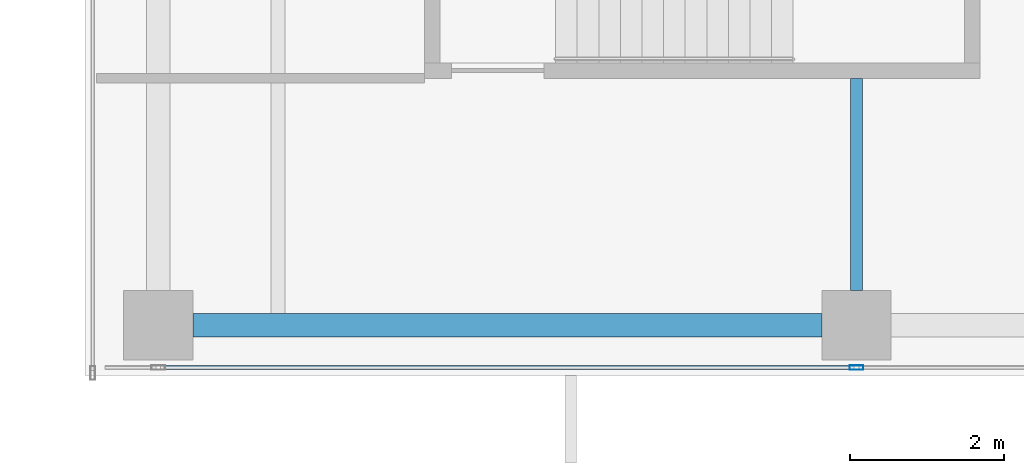
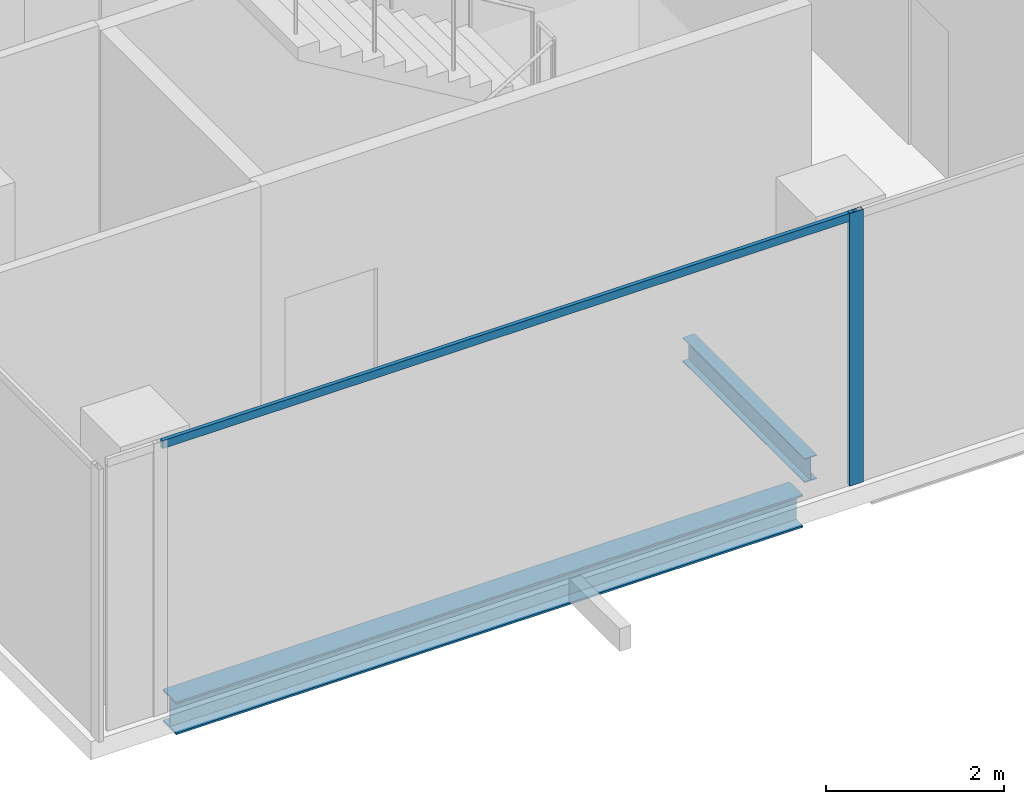
# One storey, part 3 of 36: 2 beams, 2 members, 1 element without a shape of its own.
"""IFC4 building model written with IfcOpenShell, lengths in metres."""

from ifc_helpers import new_model, si_unit, direction, frame, origin, origin_2d, place, context, subcontext, project, spatial, hollow_rectangle, i_section, extrude, source, transform, mapped, material, material_profile, profile_set, type_object, element, aggregate, save


model = new_model("IFC4")

# Units and contexts
model_context = context("Model", 3, precision=1e-05, world=origin(), true_north=direction((0.0, 1.0)))
body_context = subcontext(model_context, "Body", "Model", "MODEL_VIEW")
ifc_project = project(units=[si_unit("LENGTHUNIT", "METRE"), si_unit("AREAUNIT", "SQUARE_METRE"), si_unit("VOLUMEUNIT", "CUBIC_METRE"), si_unit("PLANEANGLEUNIT", "RADIAN"), si_unit("MASSUNIT", "GRAM", prefix="KILO")], contexts=[model_context])

# Site, building, storey
site_placement = place(None, origin())
site = spatial("IfcSite", under=ifc_project, at=site_placement, CompositionType="ELEMENT")
building_placement = place(site_placement, origin())
building = spatial("IfcBuilding", under=site, at=building_placement, Name="Khomas Fold Tower", CompositionType="ELEMENT")
storey_placement = place(building_placement, frame((0.0, 0.0, 226.199951171875)))
storey = spatial("IfcBuildingStorey", under=building, at=storey_placement, Name="L50", CompositionType="ELEMENT", Elevation=226.199951171875)

# Beams
ifc_material_1 = material(Name="Steel S355", Category="steel")
ifc_material_profile_1 = material_profile(ifc_material_1, i_section(OverallWidth=0.159912109375, OverallDepth=0.330078125, WebThickness=0.007568359375, FlangeThickness=0.011474609375, at=origin_2d()), Name="IPE 330")
ifc_profile_set_1 = profile_set([ifc_material_profile_1], Name="Steel S355")
beam_type_1 = type_object("IfcBeamType", Name="IPE 330 beam JB1", PredefinedType="BEAM", material=ifc_profile_set_1)
shared_shape_1 = source(origin(), body_context, "Body", "SweptSolid", [
    extrude(i_section(OverallWidth=0.159912109375, OverallDepth=0.330078125, WebThickness=0.007568359375, FlangeThickness=0.011474609375, at=origin_2d()), origin(), (0.0, 0.0, 1.0), 2.75),
])
beam_1_placement = place(storey_placement, frame((19.5, 5.60009765625, -0.4150390625), z_axis=(0.0, 1.0, 0.0), x_axis=(-1.0, 0.0, 0.0)))
element("IfcBeam", 1, at=beam_1_placement, inside=storey, type_object=beam_type_1, Name="JB1", PredefinedType="BEAM", context=body_context, shape_type="MappedRepresentation", body=[
    mapped(shared_shape_1, transform((0.0, 0.0, 0.0))),
])
ifc_material_2 = material(Name="Steel S355", Category="steel")
ifc_material_profile_2 = material_profile(ifc_material_2, i_section(OverallWidth=0.300048828125, OverallDepth=0.449951171875, WebThickness=0.013916015625, FlangeThickness=0.02587890625, at=origin_2d()), Name="HE 450 B")
ifc_profile_set_2 = profile_set([ifc_material_profile_2], Name="Steel S355")
beam_type_2 = type_object("IfcBeamType", Name="HE 450 B spandrel SB4", PredefinedType="SPANDREL", material=ifc_profile_set_2)
shared_shape_2 = source(origin(), body_context, "Body", "SweptSolid", [
    extrude(i_section(OverallWidth=0.300048828125, OverallDepth=0.449951171875, WebThickness=0.013916015625, FlangeThickness=0.02587890625, at=origin_2d()), origin(), (0.0, 0.0, 1.0), 8.150146484375),
])
beam_2_placement = place(storey_placement, frame((10.89990234375, 5.14990234375, -0.474853515625), z_axis=(1.0, 0.0, 0.0), x_axis=(0.0, 1.0, 0.0)))
element("IfcBeam", 2, at=beam_2_placement, inside=storey, type_object=beam_type_2, Name="SB4", PredefinedType="SPANDREL", context=body_context, shape_type="MappedRepresentation", body=[
    mapped(shared_shape_2, transform((0.0, 0.0, 0.0))),
])

# Curtain wall, members
ifc_material_3 = material(Name="Aluminium framed double glazing", Category="aluminium")
curtain_wall_type = type_object("IfcCurtainWallType", Name="SK-Unitised clear-glass wall, office floors CW2", PredefinedType="NOTDEFINED", material=ifc_material_3)
curtain_wall_placement = place(storey_placement, origin())
curtain_wall = element("IfcCurtainWall", 3, at=curtain_wall_placement, inside=storey, type_object=curtain_wall_type, Name="CW2 run L50 00-0", PredefinedType="NOTDEFINED")
ifc_material_4 = material(Name="Aluminium", Category="aluminium")
ifc_material_profile_3 = material_profile(ifc_material_4, hollow_rectangle(XDim=0.06005859375, YDim=0.179931640625, WallThickness=0.00390625, at=origin_2d()), Name="SK-Unitised clear-glass wall, office floors mullion CW2-M")
ifc_profile_set_3 = profile_set([ifc_material_profile_3], Name="Aluminium")
member_type_1 = type_object("IfcMemberType", Name="SK-Unitised clear-glass wall, office floors mullion CW2-M", PredefinedType="MULLION", material=ifc_profile_set_3)
shared_shape_3 = source(origin(), body_context, "Body", "SweptSolid", [
    extrude(hollow_rectangle(XDim=0.06005859375, YDim=0.179931640625, WallThickness=0.00390625, at=origin_2d()), origin(), (0.0, 0.0, 1.0), 3.75),
])
member_1_placement = place(storey_placement, frame((19.5, 4.60009765625, 0.0), z_axis=(0.0, 0.0, 1.0), x_axis=(0.0, 1.0, 0.0)))
member_1 = element("IfcMember", 4, at=member_1_placement, type_object=member_type_1, Name="CW2 mullion 3", PredefinedType="MULLION", context=body_context, shape_type="MappedRepresentation", body=[
    mapped(shared_shape_3, transform((0.0, 0.0, 0.0))),
])
ifc_material_5 = material(Name="Aluminium", Category="aluminium")
ifc_material_profile_4 = material_profile(ifc_material_5, hollow_rectangle(XDim=0.050048828125, YDim=0.110107421875, WallThickness=0.00390625, at=origin_2d()), Name="SK-Unitised clear-glass wall, office floors transom CW2-T")
ifc_profile_set_4 = profile_set([ifc_material_profile_4], Name="Aluminium")
member_type_2 = type_object("IfcMemberType", Name="SK-Unitised clear-glass wall, office floors transom CW2-T", PredefinedType="USERDEFINED", material=ifc_profile_set_4)
shared_shape_4 = source(origin(), body_context, "Body", "SweptSolid", [
    extrude(hollow_rectangle(XDim=0.050048828125, YDim=0.110107421875, WallThickness=0.00390625, at=origin_2d()), origin(), (0.0, 0.0, 1.0), 8.989990234375),
])
member_2_placement = place(storey_placement, frame((10.47998046875, 4.60009765625, 3.695068359375), z_axis=(1.0, 0.0, 0.0), x_axis=(0.0, 1.0, 0.0)))
member_2 = element("IfcMember", 5, at=member_2_placement, type_object=member_type_2, Name="CW2 transom 2", ObjectType="TRANSOM", PredefinedType="USERDEFINED", context=body_context, shape_type="MappedRepresentation", body=[
    mapped(shared_shape_4, transform((0.0, 0.0, 0.0))),
])
aggregate(curtain_wall, [member_1, member_2])

save(model, "model.ifc")
